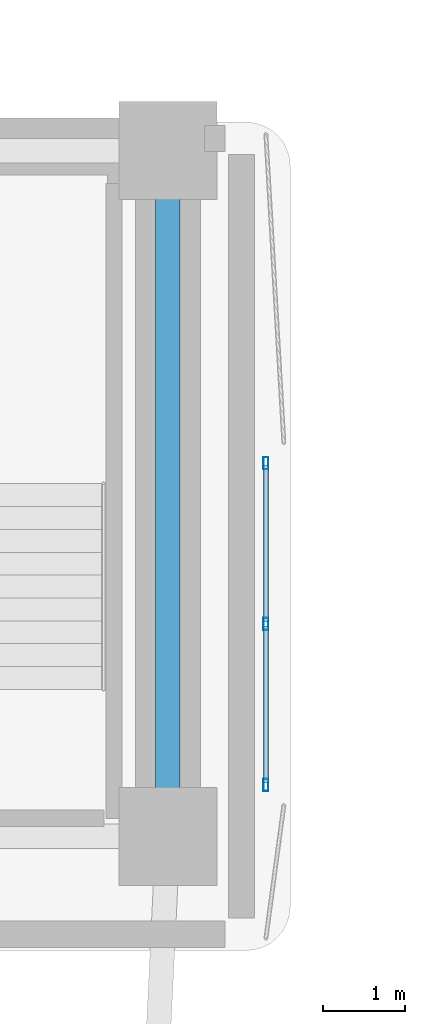
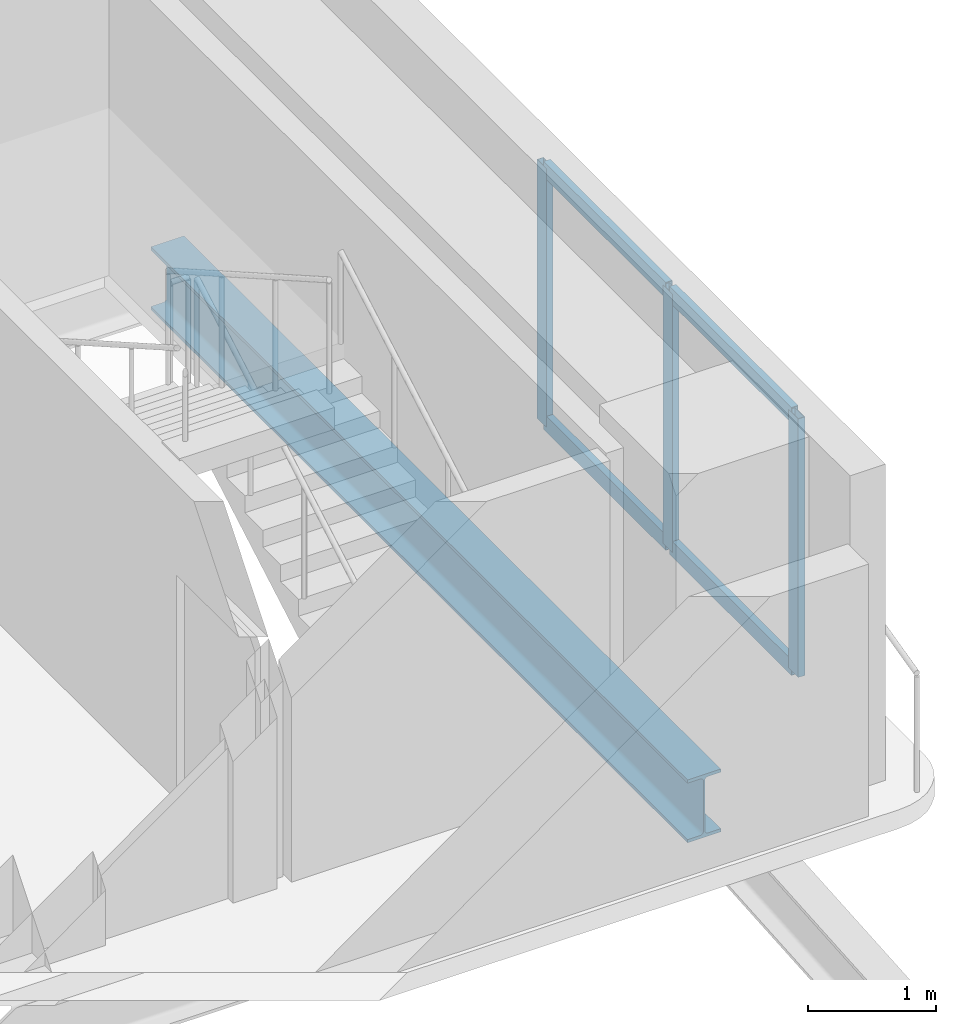
# One storey, part 2 of 12: 7 members, 1 beam, 1 element without a shape of its own.
"""IFC4 building model written with IfcOpenShell, lengths in metres."""

import ifcopenshell
import ifcopenshell.guid

model = None  # the IFC model being written
_history = None  # IfcOwnerHistory: only IFC2X3 demands one
_inside = {}  # id of a spatial element -> (the spatial element, [elements in it])
_under = {}  # id of a project, library or spatial element -> (it, [spatial elements below it])
_declared = {}  # id of a project -> (the project, [libraries it declares])
_typed = {}  # id of a type object -> (the type object, [elements of that type])
_made_of = {}  # id of a material, layer set ... -> (it, [elements and type objects made of it])


def new_model(schema):
    """Start an empty IFC model of exactly this schema.

    Asked for "IFC4X3", IfcOpenShell would pick the latest addendum, in which some entities
    have other attributes; the version numbers below select the first issue.
    IFC2X3 requires an IfcOwnerHistory on every rooted entity: one is made here for all.
    """
    global model, _history
    if schema == "IFC4X3":
        model = ifcopenshell.file(schema_version=(4, 3, 0, 0))
    else:
        model = ifcopenshell.file(schema=schema)
    _inside.clear()
    _under.clear()
    _declared.clear()
    _typed.clear()
    _made_of.clear()
    _history = None
    if model.schema == "IFC2X3":
        org = make("IfcOrganization", Name="unknown")
        user = make(
            "IfcPersonAndOrganization",
            ThePerson=make("IfcPerson", FamilyName="unknown"),
            TheOrganization=org,
        )
        app = make(
            "IfcApplication",
            ApplicationDeveloper=org,
            Version="unknown",
            ApplicationFullName="unknown",
            ApplicationIdentifier="unknown",
        )
        _history = make(
            "IfcOwnerHistory",
            OwningUser=user,
            OwningApplication=app,
            ChangeAction="ADDED",
            CreationDate=0,
        )
    return model


def make(cls, **values):
    """One entity of the class cls with the attributes given. An attribute that is None is left unset."""
    return model.create_entity(
        cls, **{name: value for name, value in values.items() if value is not None}
    )


def rooted(cls, **values):
    """An entity with a GlobalId (a new one), such as an element, a storey or a relation."""
    return make(cls, GlobalId=ifcopenshell.guid.new(), OwnerHistory=_history, **values)


def si_unit(unit_type, name, prefix=None):
    """IfcSIUnit, for example si_unit("LENGTHUNIT", "METRE", prefix="MILLI")."""
    return make("IfcSIUnit", UnitType=unit_type, Prefix=prefix, Name=name)


def assignment(units):
    """IfcUnitAssignment: the units of a project."""
    return None if units is None else make("IfcUnitAssignment", Units=units)


def point(xyz):
    """IfcCartesianPoint."""
    return None if xyz is None else make("IfcCartesianPoint", Coordinates=xyz)


def direction(xyz):
    """IfcDirection."""
    return None if xyz is None else make("IfcDirection", DirectionRatios=xyz)


def frame(location, z_axis=None, x_axis=None):
    """IfcAxis2Placement3D, a coordinate frame: its origin and axes. An axis left out is left unset."""
    return make(
        "IfcAxis2Placement3D",
        Location=point(location),
        Axis=direction(z_axis),
        RefDirection=direction(x_axis),
    )


def frame_2d(location, x_axis=None):
    """IfcAxis2Placement2D, a coordinate frame in the plane: its origin and x axis."""
    return make(
        "IfcAxis2Placement2D", Location=point(location), RefDirection=direction(x_axis)
    )


def origin():
    """The frame at (0, 0, 0) with its axes left unset."""
    return frame((0.0, 0.0, 0.0))


def origin_2d():
    """The frame at (0, 0) in the plane with its x axis left unset."""
    return frame_2d((0.0, 0.0))


def place(relative_to, where):
    """IfcLocalPlacement: puts the frame where relative to a parent placement (None: the world)."""
    return make(
        "IfcLocalPlacement", PlacementRelTo=relative_to, RelativePlacement=where
    )


def context(
    kind, dimensions, precision=None, world=None, true_north=None, identifier=None
):
    """IfcGeometricRepresentationContext, for example the 3D "Model" context."""
    return make(
        "IfcGeometricRepresentationContext",
        ContextIdentifier=identifier,
        ContextType=kind,
        CoordinateSpaceDimension=dimensions,
        Precision=precision,
        WorldCoordinateSystem=world,
        TrueNorth=true_north,
    )


def subcontext(parent, identifier, kind, view, scale=None):
    """IfcGeometricRepresentationSubContext, for example "Body" below "Model"."""
    return make(
        "IfcGeometricRepresentationSubContext",
        ContextIdentifier=identifier,
        ContextType=kind,
        ParentContext=parent,
        TargetScale=scale,
        TargetView=view,
    )


def project(units=None, contexts=None):
    """IfcProject with its units and contexts."""
    return rooted(
        "IfcProject",
        Name="project",
        RepresentationContexts=contexts,
        UnitsInContext=assignment(units),
    )


def spatial(cls, under=None, at=None, **own):
    """A site, building, storey or space (cls), placed at a placement, below another one or the project."""
    s = rooted(cls, ObjectPlacement=at, **own)
    if under is not None:
        _under.setdefault(under.id(), (under, []))[1].append(s)
    return s


def profile(cls, at=None, kind="AREA", **sizes):
    """A parametric profile (cls). Its sizes go by their IFC names, for example OverallWidth=200.0."""
    return make(cls, ProfileType=kind, Position=at, **sizes)


def hollow_rectangle(**sizes):
    """IfcRectangleHollowProfileDef."""
    return profile("IfcRectangleHollowProfileDef", **sizes)


def i_section(**sizes):
    """IfcIShapeProfileDef."""
    return profile("IfcIShapeProfileDef", **sizes)


def extrude(swept, where, along, depth):
    """IfcExtrudedAreaSolid: the profile swept, set in the frame where, extruded along a direction by depth."""
    return make(
        "IfcExtrudedAreaSolid",
        SweptArea=swept,
        Position=where,
        ExtrudedDirection=direction(along),
        Depth=depth,
    )


def shape(context_of_items, identifier, shape_type, items):
    """IfcShapeRepresentation: the items that make up one representation, for example the "Body"."""
    return make(
        "IfcShapeRepresentation",
        ContextOfItems=context_of_items,
        RepresentationIdentifier=identifier,
        RepresentationType=shape_type,
        Items=items,
    )


def material(Name=None, Category=None):
    """IfcMaterial."""
    return make("IfcMaterial", Name=Name, Category=Category)


def material_profile(
    of_material, cross_section, Name=None, Category=None, Priority=None
):
    """IfcMaterialProfile: a cross section and its material."""
    return make(
        "IfcMaterialProfile",
        Name=Name,
        Material=of_material,
        Profile=cross_section,
        Priority=Priority,
        Category=Category,
    )


def profile_set(profiles, Name=None, composite=None):
    """IfcMaterialProfileSet."""
    return make(
        "IfcMaterialProfileSet",
        Name=Name,
        MaterialProfiles=profiles,
        CompositeProfile=composite,
    )


def made_of(thing, what):
    """Note that an element or type object is made of a material, layer set ...; save() writes the relation."""
    if what is not None:
        _made_of.setdefault(what.id(), (what, []))[1].append(thing)
    return thing


def type_object(cls, material=None, **own):
    """A type object (cls), such as IfcWallType, which elements share."""
    return made_of(rooted(cls, **own), material)


def element(
    cls,
    number,
    at=None,
    inside=None,
    cuts=None,
    type_object=None,
    material=None,
    context=None,
    identifier="Body",
    shape_type=None,
    held_by="IfcProductDefinitionShape",
    body=None,
    shapes=None,
    **own,
):
    """One element of the class cls, such as IfcWall. Its Tag is "e" and its number.

    at: its placement. inside: the storey or other place that contains it. cuts: it is an
    opening in that element (IfcRelVoidsElement). A single representation is given by context,
    identifier, shape_type and body (its items); several are given by shapes. held_by: the class
    of the entity that holds the representations. save() writes the other relations.
    """
    e = rooted(cls, Tag="e%d" % number, ObjectPlacement=at, **own)
    if body is not None:
        shapes = [shape(context, identifier, shape_type, body)]
    if shapes is not None:
        e.Representation = make(held_by, Representations=shapes)
    if inside is not None:
        _inside.setdefault(inside.id(), (inside, []))[1].append(e)
    if cuts is not None:
        rooted(
            "IfcRelVoidsElement", RelatingBuildingElement=cuts, RelatedOpeningElement=e
        )
    if type_object is not None:
        _typed.setdefault(type_object.id(), (type_object, []))[1].append(e)
    return made_of(e, material)


def aggregate(whole, parts):
    """IfcRelAggregates: a whole, such as a stair, and the parts it consists of."""
    return rooted("IfcRelAggregates", RelatingObject=whole, RelatedObjects=parts)


def save(model, path):
    """Write the relations noted so far, then the file.

    IfcRelAggregates (storeys below a building ...), IfcRelContainedInSpatialStructure (elements
    in a storey), IfcRelDefinesByType, IfcRelAssociatesMaterial and IfcRelDeclares: one each for
    every whole, place, type object, material and project.
    """
    for whole, parts in _under.values():
        aggregate(whole, parts)
    for where, things in _inside.values():
        rooted(
            "IfcRelContainedInSpatialStructure",
            RelatedElements=things,
            RelatingStructure=where,
        )
    for kind, things in _typed.values():
        rooted("IfcRelDefinesByType", RelatedObjects=things, RelatingType=kind)
    for what, things in _made_of.values():
        rooted("IfcRelAssociatesMaterial", RelatedObjects=things, RelatingMaterial=what)
    for by, libraries in _declared.values():
        rooted("IfcRelDeclares", RelatingContext=by, RelatedDefinitions=libraries)
    model.write(path)


model = new_model("IFC4")

# Units and contexts
model_context = context("Model", 3, precision=1e-05, world=origin(), true_north=direction((0.0, 1.0)))
body_context = subcontext(model_context, "Body", "Model", "MODEL_VIEW")
ifc_project = project(units=[si_unit("LENGTHUNIT", "METRE"), si_unit("AREAUNIT", "SQUARE_METRE"), si_unit("VOLUMEUNIT", "CUBIC_METRE"), si_unit("PLANEANGLEUNIT", "RADIAN"), si_unit("MASSUNIT", "GRAM", prefix="KILO")], contexts=[model_context])

# Site, building, storey
site_placement = place(None, origin())
site = spatial("IfcSite", under=ifc_project, at=site_placement, CompositionType="ELEMENT")
building_placement = place(site_placement, origin())
building = spatial("IfcBuilding", under=site, at=building_placement, Name="Kuzgunbayir Cultural Tower", CompositionType="ELEMENT")
storey_placement = place(building_placement, frame((0.0, 0.0, 30.199951171875)))
storey = spatial("IfcBuildingStorey", under=building, at=storey_placement, Name="L07", CompositionType="ELEMENT", Elevation=30.199951171875)

# Beam
ifc_material_1 = material(Name="Steel S355J2", Category="steel")
ifc_material_profile_1 = material_profile(ifc_material_1, i_section(OverallWidth=0.300048828125, OverallDepth=0.60009765625, WebThickness=0.015380859375, FlangeThickness=0.030029296875, FilletRadius=0.027099609375, at=origin_2d()), Name="HEB 600")
ifc_profile_set_1 = profile_set([ifc_material_profile_1], Name="Steel S355J2")
beam_type = type_object("IfcBeamType", Name="BM-GIR-HEB600", PredefinedType="BEAM", material=ifc_profile_set_1)
beam_placement = place(storey_placement, frame((26.89990234375, 33.800048828125, -0.47998046875), z_axis=(0.0, 1.0, 0.0), x_axis=(-1.0, 0.0, 0.0)))
element("IfcBeam", 1, at=beam_placement, inside=storey, type_object=beam_type, Name="L07 Core East Edge Girder", PredefinedType="BEAM", context=body_context, shape_type="SweptSolid", body=[
    extrude(i_section(OverallWidth=0.300048828125, OverallDepth=0.60009765625, WebThickness=0.015380859375, FlangeThickness=0.030029296875, FilletRadius=0.027099609375, at=origin_2d()), origin(), (0.0, 0.0, 1.0), 8.39990234375),
])

# Curtain wall, members
ifc_material_2 = material(Name="Anodised Aluminium Framing", Category="aluminium")
curtain_wall_type = type_object("IfcCurtainWallType", Name="CW02-PORTAL-SOFFIT", PredefinedType="NOTDEFINED", material=ifc_material_2)
curtain_wall_placement = place(storey_placement, origin())
curtain_wall = element("IfcCurtainWall", 2, at=curtain_wall_placement, inside=storey, type_object=curtain_wall_type, Name="L07 Void-Portal West Jamb Curtain Wall", PredefinedType="NOTDEFINED")
ifc_material_profile_2 = material_profile(ifc_material_2, hollow_rectangle(XDim=0.06005859375, YDim=0.14990234375, WallThickness=0.00390625, at=origin_2d()), Name="RHS 150x60x4")
ifc_profile_set_2 = profile_set([ifc_material_profile_2], Name="Anodised Aluminium Framing")
member_type_1 = type_object("IfcMemberType", Name="MEM-CW-MULLION-150", PredefinedType="MULLION", material=ifc_profile_set_2)
member_1_placement = place(storey_placement, frame((28.10009765625, 34.429931640625, 0.0), z_axis=(0.0, 0.0, 1.0), x_axis=(-1.0, 0.0, 0.0)))
member_1 = element("IfcMember", 3, at=member_1_placement, type_object=member_type_1, Name="CW02 mullion 1", PredefinedType="MULLION", context=body_context, shape_type="SweptSolid", body=[
    extrude(hollow_rectangle(XDim=0.06005859375, YDim=0.14990234375, WallThickness=0.00390625, at=origin_2d()), origin(), (0.0, 0.0, 1.0), 2.469970703125),
])
member_2_placement = place(storey_placement, frame((28.10009765625, 36.39990234375, 0.0), z_axis=(0.0, 0.0, 1.0), x_axis=(-1.0, 0.0, 0.0)))
member_2 = element("IfcMember", 4, at=member_2_placement, type_object=member_type_1, Name="CW02 mullion 2", PredefinedType="MULLION", context=body_context, shape_type="SweptSolid", body=[
    extrude(hollow_rectangle(XDim=0.06005859375, YDim=0.14990234375, WallThickness=0.00390625, at=origin_2d()), origin(), (0.0, 0.0, 1.0), 2.469970703125),
])
member_3_placement = place(storey_placement, frame((28.10009765625, 38.3701171875, 0.0), z_axis=(0.0, 0.0, 1.0), x_axis=(-1.0, 0.0, 0.0)))
member_3 = element("IfcMember", 5, at=member_3_placement, type_object=member_type_1, Name="CW02 mullion 3", PredefinedType="MULLION", context=body_context, shape_type="SweptSolid", body=[
    extrude(hollow_rectangle(XDim=0.06005859375, YDim=0.14990234375, WallThickness=0.00390625, at=origin_2d()), origin(), (0.0, 0.0, 1.0), 2.469970703125),
])
ifc_material_profile_3 = material_profile(ifc_material_2, hollow_rectangle(XDim=0.06005859375, YDim=0.14990234375, WallThickness=0.00390625, at=origin_2d()), Name="RHS 150x60x4")
ifc_profile_set_3 = profile_set([ifc_material_profile_3], Name="Anodised Aluminium Framing")
member_type_2 = type_object("IfcMemberType", Name="MEM-CW-TRANSOM-150", PredefinedType="USERDEFINED", material=ifc_profile_set_3)
member_4_placement = place(storey_placement, frame((28.10009765625, 34.4599609375, 0.030029296875), z_axis=(0.0, 1.0, 0.0), x_axis=(-1.0, 0.0, 0.0)))
member_4 = element("IfcMember", 6, at=member_4_placement, type_object=member_type_2, Name="CW02 transom 1.1", ObjectType="TRANSOM", PredefinedType="USERDEFINED", context=body_context, shape_type="SweptSolid", body=[
    extrude(hollow_rectangle(XDim=0.06005859375, YDim=0.14990234375, WallThickness=0.00390625, at=origin_2d()), origin(), (0.0, 0.0, 1.0), 1.91015625),
])
member_5_placement = place(storey_placement, frame((28.10009765625, 34.4599609375, 2.43994140625), z_axis=(0.0, 1.0, 0.0), x_axis=(-1.0, 0.0, 0.0)))
member_5 = element("IfcMember", 7, at=member_5_placement, type_object=member_type_2, Name="CW02 transom 1.2", ObjectType="TRANSOM", PredefinedType="USERDEFINED", context=body_context, shape_type="SweptSolid", body=[
    extrude(hollow_rectangle(XDim=0.06005859375, YDim=0.14990234375, WallThickness=0.00390625, at=origin_2d()), origin(), (0.0, 0.0, 1.0), 1.91015625),
])
member_6_placement = place(storey_placement, frame((28.10009765625, 36.429931640625, 0.030029296875), z_axis=(0.0, 1.0, 0.0), x_axis=(-1.0, 0.0, 0.0)))
member_6 = element("IfcMember", 8, at=member_6_placement, type_object=member_type_2, Name="CW02 transom 2.1", ObjectType="TRANSOM", PredefinedType="USERDEFINED", context=body_context, shape_type="SweptSolid", body=[
    extrude(hollow_rectangle(XDim=0.06005859375, YDim=0.14990234375, WallThickness=0.00390625, at=origin_2d()), origin(), (0.0, 0.0, 1.0), 1.91015625),
])
member_7_placement = place(storey_placement, frame((28.10009765625, 36.429931640625, 2.43994140625), z_axis=(0.0, 1.0, 0.0), x_axis=(-1.0, 0.0, 0.0)))
member_7 = element("IfcMember", 9, at=member_7_placement, type_object=member_type_2, Name="CW02 transom 2.2", ObjectType="TRANSOM", PredefinedType="USERDEFINED", context=body_context, shape_type="SweptSolid", body=[
    extrude(hollow_rectangle(XDim=0.06005859375, YDim=0.14990234375, WallThickness=0.00390625, at=origin_2d()), origin(), (0.0, 0.0, 1.0), 1.91015625),
])
aggregate(curtain_wall, [member_1, member_2, member_3, member_4, member_5, member_6, member_7])

save(model, "model.ifc")
